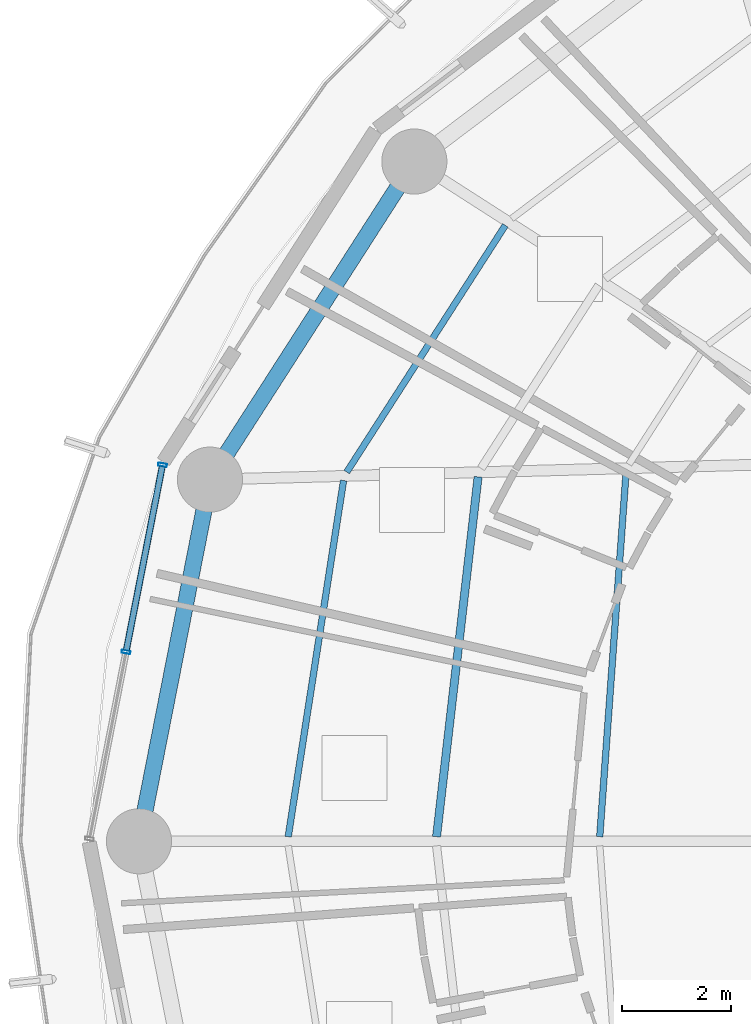
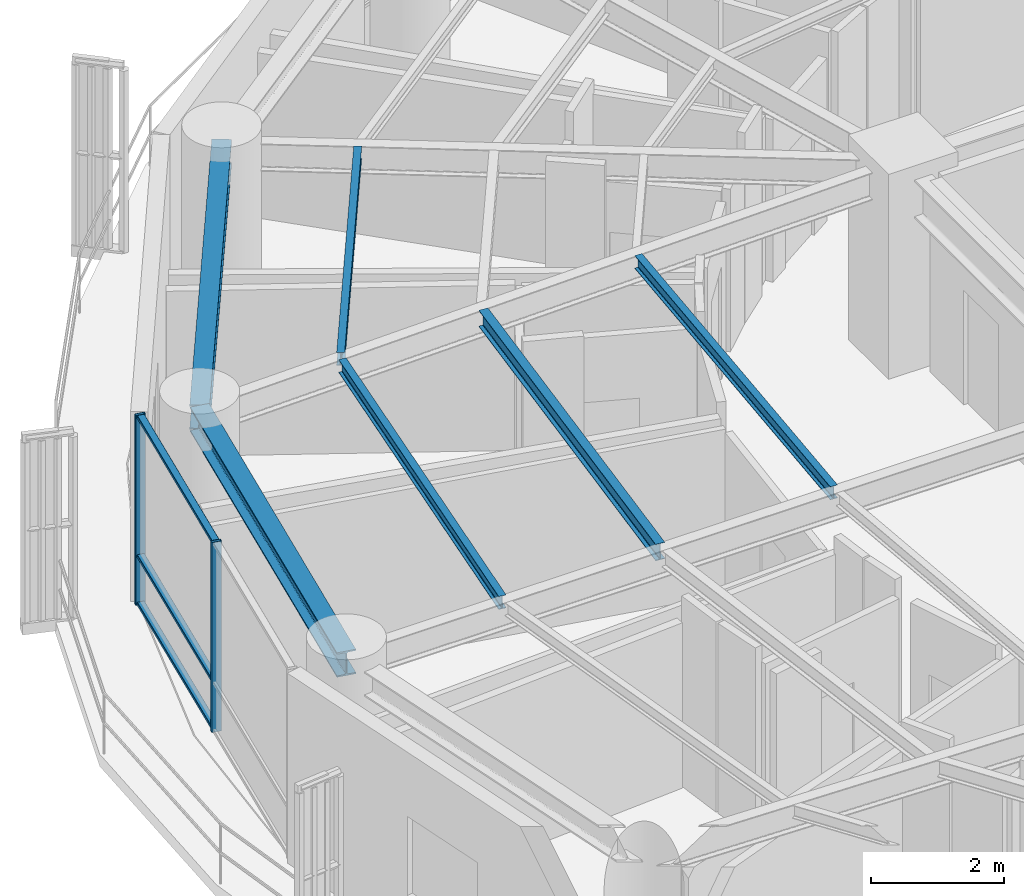
# One storey, part 8 of 28: 6 beams, 5 members, 1 element without a shape of its own.
"""IFC4 building model written with IfcOpenShell, lengths in metres."""

from ifc_helpers import new_model, si_unit, direction, frame, origin, origin_2d, place, context, subcontext, project, spatial, hollow_rectangle, i_section, extrude, material, layer, layer_set, material_profile, profile_set, type_object, element, aggregate, save


model = new_model("IFC4")

# Units and contexts
model_context = context("Model", 3, precision=1e-05, world=origin(), true_north=direction((0.0, 1.0)))
body_context = subcontext(model_context, "Body", "Model", "MODEL_VIEW")
ifc_project = project(units=[si_unit("LENGTHUNIT", "METRE"), si_unit("AREAUNIT", "SQUARE_METRE"), si_unit("VOLUMEUNIT", "CUBIC_METRE"), si_unit("PLANEANGLEUNIT", "RADIAN"), si_unit("MASSUNIT", "GRAM", prefix="KILO")], contexts=[model_context])

# Site, building, storey
site_placement = place(None, origin())
site = spatial("IfcSite", under=ifc_project, at=site_placement, CompositionType="ELEMENT")
building_placement = place(site_placement, origin())
building = spatial("IfcBuilding", under=site, at=building_placement, Name="Kelanora Arch Commons", CompositionType="ELEMENT")
storey_placement = place(building_placement, frame((0.0, 0.0, 139.35009765625)))
storey = spatial("IfcBuildingStorey", under=building, at=storey_placement, Name="L35", CompositionType="ELEMENT", Elevation=139.35009765625)

# Beams
ifc_material_1 = material(Name="Steel S355", Category="steel")
ifc_material_profile_1 = material_profile(ifc_material_1, i_section(OverallWidth=0.14990234375, OverallDepth=0.300048828125, WebThickness=0.007080078125, FlangeThickness=0.0107421875, FilletRadius=0.014892578125, at=origin_2d()), Name="IPE300")
ifc_profile_set_1 = profile_set([ifc_material_profile_1], Name="Steel S355")
beam_type_1 = type_object("IfcBeamType", Name="BM-JST-01", PredefinedType="JOIST", material=ifc_profile_set_1)
beam_1_placement = place(storey_placement, frame((58.56689453125, 64.713134765625, 3.33984375), z_axis=(-0.114667159005, -0.9934039675, 0.0), x_axis=(0.9934039675, -0.114667159005, 0.0)))
element("IfcBeam", 1, at=beam_1_placement, inside=storey, type_object=beam_type_1, Name="Secondary Chord Joist BJB-16 L35", PredefinedType="JOIST", context=body_context, shape_type="SweptSolid", body=[
    extrude(i_section(OverallWidth=0.14990234375, OverallDepth=0.300048828125, WebThickness=0.007080078125, FlangeThickness=0.0107421875, FilletRadius=0.014892578125, at=origin_2d()), origin(), (0.0, 0.0, 1.0), 6.672607421875),
])
ifc_material_profile_2 = material_profile(ifc_material_1, i_section(OverallWidth=0.1201171875, OverallDepth=0.239990234375, WebThickness=0.006103515625, FlangeThickness=0.009765625, FilletRadius=0.014892578125, at=origin_2d()), Name="IPE240")
ifc_profile_set_2 = profile_set([ifc_material_profile_2], Name="Steel S355")
beam_type_2 = type_object("IfcBeamType", Name="BM-JST-02", PredefinedType="JOIST", material=ifc_profile_set_2)
beam_2_placement = place(storey_placement, frame((59.06787109375, 69.345703125, 3.369873046875), z_axis=(-0.540581678156, -0.841291536414, 0.0), x_axis=(0.841291536414, -0.540581678156, 0.0)))
element("IfcBeam", 2, at=beam_2_placement, inside=storey, type_object=beam_type_2, Name="Secondary Chord Joist BJC-14 L35", PredefinedType="JOIST", context=body_context, shape_type="SweptSolid", body=[
    extrude(i_section(OverallWidth=0.1201171875, OverallDepth=0.239990234375, WebThickness=0.006103515625, FlangeThickness=0.009765625, FilletRadius=0.014892578125, at=origin_2d()), origin(), (0.0, 0.0, 1.0), 5.4013671875),
])
beam_3_placement = place(storey_placement, frame((61.292236328125, 64.787109375, 3.369873046875), z_axis=(-0.072117123738, -0.997396170267, 0.0), x_axis=(0.997396170267, -0.072117123738, 0.0)))
element("IfcBeam", 3, at=beam_3_placement, inside=storey, type_object=beam_type_2, Name="Secondary Chord Joist BJA-16 L35", PredefinedType="JOIST", context=body_context, shape_type="SweptSolid", body=[
    extrude(i_section(OverallWidth=0.1201171875, OverallDepth=0.239990234375, WebThickness=0.006103515625, FlangeThickness=0.009765625, FilletRadius=0.014892578125, at=origin_2d()), origin(), (0.0, 0.0, 1.0), 6.719970703125),
])
beam_4_placement = place(storey_placement, frame((56.0888671875, 64.64599609375, 3.369873046875), z_axis=(-0.153562625853, -0.988138917329, 0.0), x_axis=(0.988138917329, -0.153562625853, 0.0)))
element("IfcBeam", 4, at=beam_4_placement, inside=storey, type_object=beam_type_2, Name="Secondary Chord Joist BJC-16 L35", PredefinedType="JOIST", context=body_context, shape_type="SweptSolid", body=[
    extrude(i_section(OverallWidth=0.1201171875, OverallDepth=0.239990234375, WebThickness=0.006103515625, FlangeThickness=0.009765625, FilletRadius=0.014892578125, at=origin_2d()), origin(), (0.0, 0.0, 1.0), 6.640869140625),
])
ifc_material_profile_3 = material_profile(ifc_material_1, i_section(OverallWidth=0.300048828125, OverallDepth=0.449951171875, WebThickness=0.013916015625, FlangeThickness=0.02587890625, FilletRadius=0.027099609375, at=origin_2d()), Name="HEB450")
ifc_profile_set_3 = profile_set([ifc_material_profile_3], Name="Steel S355")
beam_type_3 = type_object("IfcBeamType", Name="BM-SPN-Z3", PredefinedType="SPANDREL", material=ifc_profile_set_3)
beam_5_placement = place(storey_placement, frame((57.39208984375, 70.521484375, 3.264892578125), z_axis=(-0.540576852469, -0.841294637196, 0.0), x_axis=(0.841294637196, -0.540576852469, 0.0)))
element("IfcBeam", 5, at=beam_5_placement, inside=storey, type_object=beam_type_3, Name="Perimeter Spandrel Beam BS-14 L35", PredefinedType="SPANDREL", context=body_context, shape_type="SweptSolid", body=[
    extrude(i_section(OverallWidth=0.300048828125, OverallDepth=0.449951171875, WebThickness=0.013916015625, FlangeThickness=0.02587890625, FilletRadius=0.027099609375, at=origin_2d()), origin(), (0.0, 0.0, 1.0), 6.964111328125),
])
beam_6_placement = place(storey_placement, frame((53.62744140625, 64.66259765625, 3.264892578125), z_axis=(-0.192553643556, -0.981286448675, 0.0), x_axis=(0.981286448675, -0.192553643556, 0.0)))
element("IfcBeam", 6, at=beam_6_placement, inside=storey, type_object=beam_type_3, Name="Perimeter Spandrel Beam BS-16 L35", PredefinedType="SPANDREL", context=body_context, shape_type="SweptSolid", body=[
    extrude(i_section(OverallWidth=0.300048828125, OverallDepth=0.449951171875, WebThickness=0.013916015625, FlangeThickness=0.02587890625, FilletRadius=0.027099609375, at=origin_2d()), origin(), (0.0, 0.0, 1.0), 6.78955078125),
])

# Curtain wall, members
ifc_material_2 = material(Name="Terracotta ceramic-fritted low-E glass and aluminium", Category="masonry")
ifc_layer = layer(ifc_material_2, 0.175048828125)
ifc_layer_set = layer_set([ifc_layer], Name="Terracotta ceramic-fritted low-E glass and aluminium")
curtain_wall_type = type_object("IfcCurtainWallType", Name="CW-SYS-02", PredefinedType="NOTDEFINED", material=ifc_layer_set)
curtain_wall_placement = place(storey_placement, origin())
curtain_wall = element("IfcCurtainWall", 7, at=curtain_wall_placement, inside=storey, type_object=curtain_wall_type, Name="Unitised Curtain Wall L35-B08", PredefinedType="NOTDEFINED")
ifc_material_3 = material(Name="Powder-coated aluminium terracotta", Category="masonry")
ifc_material_profile_4 = material_profile(ifc_material_3, hollow_rectangle(XDim=0.159912109375, YDim=0.06005859375, WallThickness=0.0048828125, InnerFilletRadius=0.0048828125, OuterFilletRadius=0.010009765625, at=origin_2d()), Name="CWM160x60")
ifc_profile_set_4 = profile_set([ifc_material_profile_4], Name="Powder-coated aluminium terracotta")
member_type_1 = type_object("IfcMemberType", Name="CWM-STD", PredefinedType="MULLION", material=ifc_profile_set_4)
member_1_placement = place(storey_placement, frame((52.754150390625, 64.93310546875, 0.0), z_axis=(0.0, 0.0, 1.0), x_axis=(0.981452557718, -0.191705182375, 0.0)))
member_1 = element("IfcMember", 8, at=member_1_placement, type_object=member_type_1, Name="CW-02 mullion 1", PredefinedType="MULLION", context=body_context, shape_type="SweptSolid", body=[
    extrude(hollow_rectangle(XDim=0.159912109375, YDim=0.06005859375, WallThickness=0.0048828125, InnerFilletRadius=0.0048828125, OuterFilletRadius=0.010009765625, at=origin_2d()), origin(), (0.0, 0.0, 1.0), 3.474853515625),
])
member_2_placement = place(storey_placement, frame((52.08154296875, 61.488525390625, 0.0), z_axis=(0.0, 0.0, 1.0), x_axis=(0.981452557718, -0.191705182375, 0.0)))
member_2 = element("IfcMember", 9, at=member_2_placement, type_object=member_type_1, Name="CW-02 mullion 2", PredefinedType="MULLION", context=body_context, shape_type="SweptSolid", body=[
    extrude(hollow_rectangle(XDim=0.159912109375, YDim=0.06005859375, WallThickness=0.0048828125, InnerFilletRadius=0.0048828125, OuterFilletRadius=0.010009765625, at=origin_2d()), origin(), (0.0, 0.0, 1.0), 3.474853515625),
])
ifc_material_profile_5 = material_profile(ifc_material_3, hollow_rectangle(XDim=0.1201171875, YDim=0.06005859375, WallThickness=0.0048828125, InnerFilletRadius=0.0048828125, OuterFilletRadius=0.010009765625, at=origin_2d()), Name="CWT120x60")
ifc_profile_set_5 = profile_set([ifc_material_profile_5], Name="Powder-coated aluminium terracotta")
member_type_2 = type_object("IfcMemberType", Name="CWT-STD", PredefinedType="USERDEFINED", material=ifc_profile_set_5)
member_3_placement = place(storey_placement, frame((52.74853515625, 64.903564453125, 0.02978515625), z_axis=(-0.191731523726, -0.981447412147, 0.0), x_axis=(0.981447412147, -0.191731523726, 0.0)))
member_3 = element("IfcMember", 10, at=member_3_placement, type_object=member_type_2, Name="CW-02 transom 1.1", ObjectType="TRANSOM", PredefinedType="USERDEFINED", context=body_context, shape_type="SweptSolid", body=[
    extrude(hollow_rectangle(XDim=0.1201171875, YDim=0.06005859375, WallThickness=0.0048828125, InnerFilletRadius=0.0048828125, OuterFilletRadius=0.010009765625, at=origin_2d()), origin(), (0.0, 0.0, 1.0), 3.449462890625),
])
member_4_placement = place(storey_placement, frame((52.74853515625, 64.903564453125, 0.89990234375), z_axis=(-0.191731523726, -0.981447412147, 0.0), x_axis=(0.981447412147, -0.191731523726, 0.0)))
member_4 = element("IfcMember", 11, at=member_4_placement, type_object=member_type_2, Name="CW-02 transom 1.2", ObjectType="TRANSOM", PredefinedType="USERDEFINED", context=body_context, shape_type="SweptSolid", body=[
    extrude(hollow_rectangle(XDim=0.1201171875, YDim=0.06005859375, WallThickness=0.0048828125, InnerFilletRadius=0.0048828125, OuterFilletRadius=0.010009765625, at=origin_2d()), origin(), (0.0, 0.0, 1.0), 3.449462890625),
])
member_5_placement = place(storey_placement, frame((52.74853515625, 64.903564453125, 3.44482421875), z_axis=(-0.191731523726, -0.981447412147, 0.0), x_axis=(0.981447412147, -0.191731523726, 0.0)))
member_5 = element("IfcMember", 12, at=member_5_placement, type_object=member_type_2, Name="CW-02 transom 1.3", ObjectType="TRANSOM", PredefinedType="USERDEFINED", context=body_context, shape_type="SweptSolid", body=[
    extrude(hollow_rectangle(XDim=0.1201171875, YDim=0.06005859375, WallThickness=0.0048828125, InnerFilletRadius=0.0048828125, OuterFilletRadius=0.010009765625, at=origin_2d()), origin(), (0.0, 0.0, 1.0), 3.449462890625),
])
aggregate(curtain_wall, [member_1, member_2, member_3, member_4, member_5])

save(model, "model.ifc")
